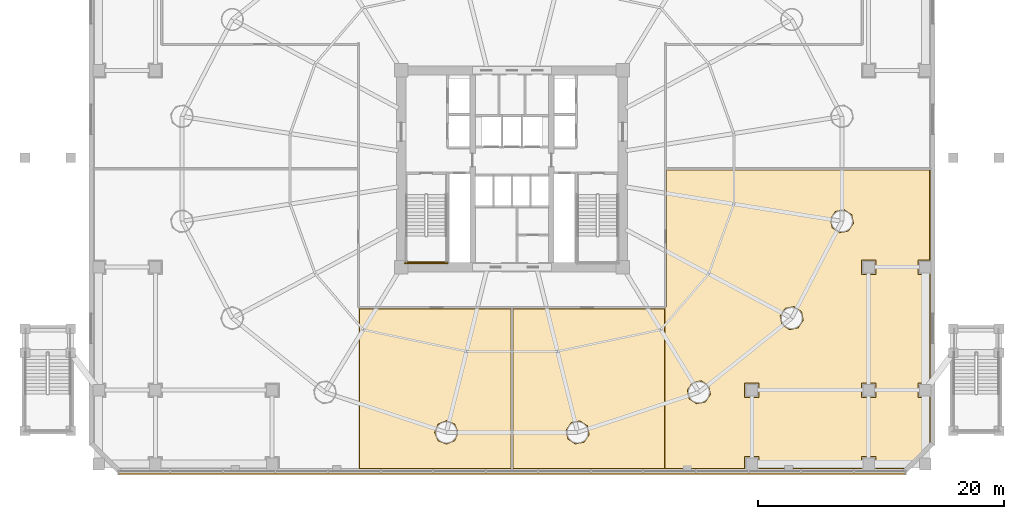
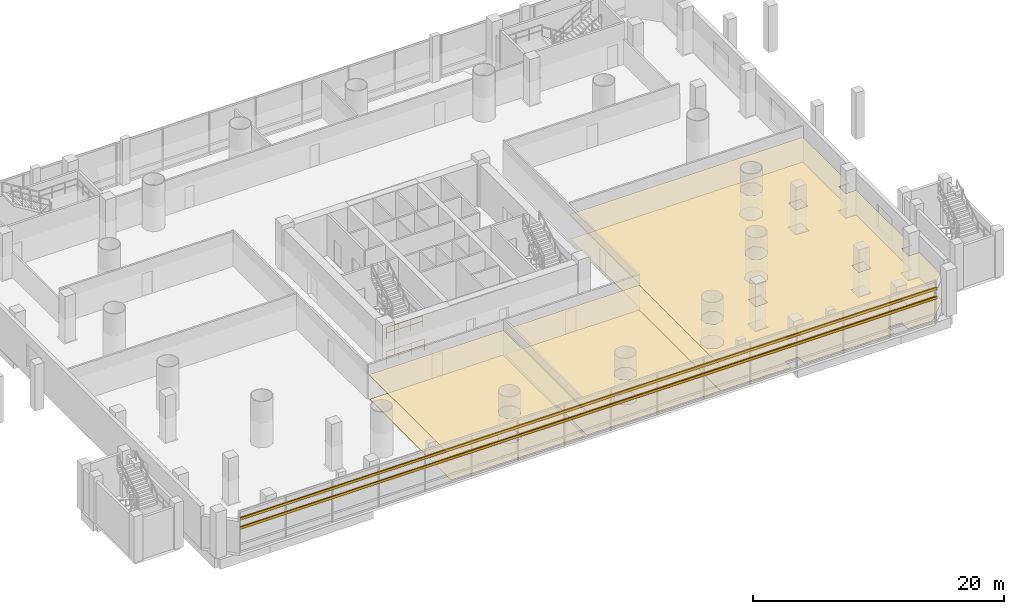
# One storey, part 28 of 36: 6 coverings, 2 railings, 2 shading devices.
"""IFC4 building model written with IfcOpenShell, lengths in metres."""

import ifcopenshell
import ifcopenshell.guid

model = None  # the IFC model being written
_history = None  # IfcOwnerHistory: only IFC2X3 demands one
_inside = {}  # id of a spatial element -> (the spatial element, [elements in it])
_under = {}  # id of a project, library or spatial element -> (it, [spatial elements below it])
_declared = {}  # id of a project -> (the project, [libraries it declares])
_typed = {}  # id of a type object -> (the type object, [elements of that type])
_made_of = {}  # id of a material, layer set ... -> (it, [elements and type objects made of it])


def new_model(schema):
    """Start an empty IFC model of exactly this schema.

    Asked for "IFC4X3", IfcOpenShell would pick the latest addendum, in which some entities
    have other attributes; the version numbers below select the first issue.
    IFC2X3 requires an IfcOwnerHistory on every rooted entity: one is made here for all.
    """
    global model, _history
    if schema == "IFC4X3":
        model = ifcopenshell.file(schema_version=(4, 3, 0, 0))
    else:
        model = ifcopenshell.file(schema=schema)
    _inside.clear()
    _under.clear()
    _declared.clear()
    _typed.clear()
    _made_of.clear()
    _history = None
    if model.schema == "IFC2X3":
        org = make("IfcOrganization", Name="unknown")
        user = make(
            "IfcPersonAndOrganization",
            ThePerson=make("IfcPerson", FamilyName="unknown"),
            TheOrganization=org,
        )
        app = make(
            "IfcApplication",
            ApplicationDeveloper=org,
            Version="unknown",
            ApplicationFullName="unknown",
            ApplicationIdentifier="unknown",
        )
        _history = make(
            "IfcOwnerHistory",
            OwningUser=user,
            OwningApplication=app,
            ChangeAction="ADDED",
            CreationDate=0,
        )
    return model


def make(cls, **values):
    """One entity of the class cls with the attributes given. An attribute that is None is left unset."""
    return model.create_entity(
        cls, **{name: value for name, value in values.items() if value is not None}
    )


def rooted(cls, **values):
    """An entity with a GlobalId (a new one), such as an element, a storey or a relation."""
    return make(cls, GlobalId=ifcopenshell.guid.new(), OwnerHistory=_history, **values)


def si_unit(unit_type, name, prefix=None):
    """IfcSIUnit, for example si_unit("LENGTHUNIT", "METRE", prefix="MILLI")."""
    return make("IfcSIUnit", UnitType=unit_type, Prefix=prefix, Name=name)


def assignment(units):
    """IfcUnitAssignment: the units of a project."""
    return None if units is None else make("IfcUnitAssignment", Units=units)


def point(xyz):
    """IfcCartesianPoint."""
    return None if xyz is None else make("IfcCartesianPoint", Coordinates=xyz)


def direction(xyz):
    """IfcDirection."""
    return None if xyz is None else make("IfcDirection", DirectionRatios=xyz)


def frame(location, z_axis=None, x_axis=None):
    """IfcAxis2Placement3D, a coordinate frame: its origin and axes. An axis left out is left unset."""
    return make(
        "IfcAxis2Placement3D",
        Location=point(location),
        Axis=direction(z_axis),
        RefDirection=direction(x_axis),
    )


def frame_2d(location, x_axis=None):
    """IfcAxis2Placement2D, a coordinate frame in the plane: its origin and x axis."""
    return make(
        "IfcAxis2Placement2D", Location=point(location), RefDirection=direction(x_axis)
    )


def origin():
    """The frame at (0, 0, 0) with its axes left unset."""
    return frame((0.0, 0.0, 0.0))


def origin_2d():
    """The frame at (0, 0) in the plane with its x axis left unset."""
    return frame_2d((0.0, 0.0))


def place(relative_to, where):
    """IfcLocalPlacement: puts the frame where relative to a parent placement (None: the world)."""
    return make(
        "IfcLocalPlacement", PlacementRelTo=relative_to, RelativePlacement=where
    )


def context(
    kind, dimensions, precision=None, world=None, true_north=None, identifier=None
):
    """IfcGeometricRepresentationContext, for example the 3D "Model" context."""
    return make(
        "IfcGeometricRepresentationContext",
        ContextIdentifier=identifier,
        ContextType=kind,
        CoordinateSpaceDimension=dimensions,
        Precision=precision,
        WorldCoordinateSystem=world,
        TrueNorth=true_north,
    )


def subcontext(parent, identifier, kind, view, scale=None):
    """IfcGeometricRepresentationSubContext, for example "Body" below "Model"."""
    return make(
        "IfcGeometricRepresentationSubContext",
        ContextIdentifier=identifier,
        ContextType=kind,
        ParentContext=parent,
        TargetScale=scale,
        TargetView=view,
    )


def project(units=None, contexts=None):
    """IfcProject with its units and contexts."""
    return rooted(
        "IfcProject",
        Name="project",
        RepresentationContexts=contexts,
        UnitsInContext=assignment(units),
    )


def spatial(cls, under=None, at=None, **own):
    """A site, building, storey or space (cls), placed at a placement, below another one or the project."""
    s = rooted(cls, ObjectPlacement=at, **own)
    if under is not None:
        _under.setdefault(under.id(), (under, []))[1].append(s)
    return s


def polyline(points):
    """IfcPolyline through the points."""
    return make("IfcPolyline", Points=[point(p) for p in points])


def profile(cls, at=None, kind="AREA", **sizes):
    """A parametric profile (cls). Its sizes go by their IFC names, for example OverallWidth=200.0."""
    return make(cls, ProfileType=kind, Position=at, **sizes)


def rectangle(**sizes):
    """IfcRectangleProfileDef."""
    return profile("IfcRectangleProfileDef", **sizes)


def hollow_rectangle(**sizes):
    """IfcRectangleHollowProfileDef."""
    return profile("IfcRectangleHollowProfileDef", **sizes)


def outline(outer, holes=None, kind="AREA"):
    """IfcArbitraryClosedProfileDef: a profile drawn as a closed curve; with holes, ...WithVoids."""
    if holes is None:
        return make("IfcArbitraryClosedProfileDef", ProfileType=kind, OuterCurve=outer)
    return make(
        "IfcArbitraryProfileDefWithVoids",
        ProfileType=kind,
        OuterCurve=outer,
        InnerCurves=holes,
    )


def extrude(swept, where, along, depth):
    """IfcExtrudedAreaSolid: the profile swept, set in the frame where, extruded along a direction by depth."""
    return make(
        "IfcExtrudedAreaSolid",
        SweptArea=swept,
        Position=where,
        ExtrudedDirection=direction(along),
        Depth=depth,
    )


def shape(context_of_items, identifier, shape_type, items):
    """IfcShapeRepresentation: the items that make up one representation, for example the "Body"."""
    return make(
        "IfcShapeRepresentation",
        ContextOfItems=context_of_items,
        RepresentationIdentifier=identifier,
        RepresentationType=shape_type,
        Items=items,
    )


def source(mapping_origin, context_of_items, identifier, shape_type, items):
    """IfcRepresentationMap: a shape defined once, which mapped items show again and again."""
    return make(
        "IfcRepresentationMap",
        MappingOrigin=mapping_origin,
        MappedRepresentation=shape(context_of_items, identifier, shape_type, items),
    )


def transform(
    local_origin,
    x_axis=None,
    y_axis=None,
    z_axis=None,
    scale=None,
    scale2=None,
    scale3=None,
    uniform=True,
):
    """IfcCartesianTransformationOperator3D, or its non-uniform kind. x_axis, y_axis, z_axis: its Axis1, 2, 3."""
    if uniform:
        return make(
            "IfcCartesianTransformationOperator3D",
            Axis1=direction(x_axis),
            Axis2=direction(y_axis),
            LocalOrigin=point(local_origin),
            Scale=scale,
            Axis3=direction(z_axis),
        )
    return make(
        "IfcCartesianTransformationOperator3DnonUniform",
        Axis1=direction(x_axis),
        Axis2=direction(y_axis),
        LocalOrigin=point(local_origin),
        Scale=scale,
        Axis3=direction(z_axis),
        Scale2=scale2,
        Scale3=scale3,
    )


def mapped(mapping_source, mapping_target):
    """IfcMappedItem: shows the shape of a source again, moved by a transform."""
    return make(
        "IfcMappedItem", MappingSource=mapping_source, MappingTarget=mapping_target
    )


def material(Name=None, Category=None):
    """IfcMaterial."""
    return make("IfcMaterial", Name=Name, Category=Category)


def layer(
    of_material, thickness, ventilated=None, Name=None, Category=None, Priority=None
):
    """IfcMaterialLayer: one layer of a wall or slab, of a material (None: an air gap)."""
    return make(
        "IfcMaterialLayer",
        Material=of_material,
        LayerThickness=thickness,
        IsVentilated=ventilated,
        Name=Name,
        Category=Category,
        Priority=Priority,
    )


def layer_set(layers, Name=None):
    """IfcMaterialLayerSet."""
    return make("IfcMaterialLayerSet", MaterialLayers=layers, LayerSetName=Name)


def material_profile(
    of_material, cross_section, Name=None, Category=None, Priority=None
):
    """IfcMaterialProfile: a cross section and its material."""
    return make(
        "IfcMaterialProfile",
        Name=Name,
        Material=of_material,
        Profile=cross_section,
        Priority=Priority,
        Category=Category,
    )


def profile_set(profiles, Name=None, composite=None):
    """IfcMaterialProfileSet."""
    return make(
        "IfcMaterialProfileSet",
        Name=Name,
        MaterialProfiles=profiles,
        CompositeProfile=composite,
    )


def made_of(thing, what):
    """Note that an element or type object is made of a material, layer set ...; save() writes the relation."""
    if what is not None:
        _made_of.setdefault(what.id(), (what, []))[1].append(thing)
    return thing


def type_object(cls, material=None, **own):
    """A type object (cls), such as IfcWallType, which elements share."""
    return made_of(rooted(cls, **own), material)


def element(
    cls,
    number,
    at=None,
    inside=None,
    cuts=None,
    type_object=None,
    material=None,
    context=None,
    identifier="Body",
    shape_type=None,
    held_by="IfcProductDefinitionShape",
    body=None,
    shapes=None,
    **own,
):
    """One element of the class cls, such as IfcWall. Its Tag is "e" and its number.

    at: its placement. inside: the storey or other place that contains it. cuts: it is an
    opening in that element (IfcRelVoidsElement). A single representation is given by context,
    identifier, shape_type and body (its items); several are given by shapes. held_by: the class
    of the entity that holds the representations. save() writes the other relations.
    """
    e = rooted(cls, Tag="e%d" % number, ObjectPlacement=at, **own)
    if body is not None:
        shapes = [shape(context, identifier, shape_type, body)]
    if shapes is not None:
        e.Representation = make(held_by, Representations=shapes)
    if inside is not None:
        _inside.setdefault(inside.id(), (inside, []))[1].append(e)
    if cuts is not None:
        rooted(
            "IfcRelVoidsElement", RelatingBuildingElement=cuts, RelatedOpeningElement=e
        )
    if type_object is not None:
        _typed.setdefault(type_object.id(), (type_object, []))[1].append(e)
    return made_of(e, material)


def aggregate(whole, parts):
    """IfcRelAggregates: a whole, such as a stair, and the parts it consists of."""
    return rooted("IfcRelAggregates", RelatingObject=whole, RelatedObjects=parts)


def save(model, path):
    """Write the relations noted so far, then the file.

    IfcRelAggregates (storeys below a building ...), IfcRelContainedInSpatialStructure (elements
    in a storey), IfcRelDefinesByType, IfcRelAssociatesMaterial and IfcRelDeclares: one each for
    every whole, place, type object, material and project.
    """
    for whole, parts in _under.values():
        aggregate(whole, parts)
    for where, things in _inside.values():
        rooted(
            "IfcRelContainedInSpatialStructure",
            RelatedElements=things,
            RelatingStructure=where,
        )
    for kind, things in _typed.values():
        rooted("IfcRelDefinesByType", RelatedObjects=things, RelatingType=kind)
    for what, things in _made_of.values():
        rooted("IfcRelAssociatesMaterial", RelatedObjects=things, RelatingMaterial=what)
    for by, libraries in _declared.values():
        rooted("IfcRelDeclares", RelatingContext=by, RelatedDefinitions=libraries)
    model.write(path)


model = new_model("IFC4")

# Units and contexts
model_context = context("Model", 3, precision=1e-05, world=origin(), true_north=direction((-0.2419218956, 0.970295726276)))
body_context = subcontext(model_context, "Body", "Model", "MODEL_VIEW")
ifc_project = project(units=[si_unit("LENGTHUNIT", "METRE"), si_unit("AREAUNIT", "SQUARE_METRE"), si_unit("VOLUMEUNIT", "CUBIC_METRE"), si_unit("PLANEANGLEUNIT", "RADIAN"), si_unit("MASSUNIT", "GRAM", prefix="KILO")], contexts=[model_context])

# Site, building, storey
site_placement = place(None, origin())
site = spatial("IfcSite", under=ifc_project, at=site_placement, CompositionType="ELEMENT")
building_placement = place(site_placement, origin())
building = spatial("IfcBuilding", under=site, at=building_placement, Name="Cobrevalo Terracotta Tower", CompositionType="ELEMENT")
storey_placement = place(building_placement, frame((0.0, 0.0, 14.39990234375)))
storey = spatial("IfcBuildingStorey", under=building, at=storey_placement, Name="L03", CompositionType="ELEMENT", Elevation=14.39990234375)

# Coverings
ifc_material_1 = material(Name="Honed terracotta and granite tile", Category="masonry")
ifc_layer_1 = layer(ifc_material_1, 0.034912109375)
ifc_layer_set_1 = layer_set([ifc_layer_1], Name="Honed terracotta and granite tile")
covering_type_1 = type_object("IfcCoveringType", Name="Honed Terracotta & Granite Interior Flooring 35", PredefinedType="FLOORING", material=ifc_layer_set_1)
covering_1_placement = place(storey_placement, origin())
element("IfcCovering", 1, at=covering_1_placement, inside=storey, type_object=covering_type_1, Name="L03 Movement Pilates Studio floor finish", PredefinedType="FLOORING", context=body_context, shape_type="SweptSolid", body=[
    extrude(outline(polyline([(69.921630859375, 2.43994140625), (67.60009765625, 2.43994140625), (67.60009765625, 3.39990234375), (66.39990234375, 3.39990234375), (66.39990234375, 2.43994140625), (58.10009765625, 2.43994140625), (58.10009765625, 3.39990234375), (56.89990234375, 3.39990234375), (56.89990234375, 2.43994140625), (50.419921875, 2.43994140625), (50.419921875, 15.423583984375), (50.580078125, 15.59814453125), (50.580078125, 26.699951171875), (71.9599609375, 26.699951171875), (71.9599609375, 19.39990234375), (71.0, 19.39990234375), (71.0, 18.199951171875), (71.9599609375, 18.199951171875), (71.9599609375, 9.39990234375), (71.0, 9.39990234375), (71.0, 8.199951171875), (71.9599609375, 8.199951171875), (71.9599609375, 4.478271484375), (69.921630859375, 2.43994140625)]), holes=[polyline([(66.39990234375, 9.39990234375), (66.39990234375, 8.199951171875), (67.60009765625, 8.199951171875), (67.60009765625, 9.39990234375), (66.39990234375, 9.39990234375)]), polyline([(66.39990234375, 19.39990234375), (66.39990234375, 18.199951171875), (67.60009765625, 18.199951171875), (67.60009765625, 19.39990234375), (66.39990234375, 19.39990234375)]), polyline([(65.35791015625, 21.739013671875), (65.76611328125, 22.349853515625), (65.622802734375, 23.07080078125), (65.01171875, 23.47900390625), (64.291015625, 23.33544921875), (63.8828125, 22.724609375), (64.026123046875, 22.00390625), (64.63720703125, 21.595703125), (65.35791015625, 21.739013671875)]), polyline([(61.274169921875, 13.862548828125), (61.682373046875, 14.473388671875), (61.5390625, 15.194091796875), (60.927978515625, 15.6025390625), (60.207275390625, 15.458984375), (59.799072265625, 14.84814453125), (59.9423828125, 14.12744140625), (60.553466796875, 13.71923828125), (61.274169921875, 13.862548828125)]), polyline([(56.89990234375, 9.39990234375), (56.89990234375, 8.199951171875), (58.10009765625, 8.199951171875), (58.10009765625, 9.39990234375), (56.89990234375, 9.39990234375)]), polyline([(53.728271484375, 7.833984375), (54.136474609375, 8.445068359375), (53.9931640625, 9.165771484375), (53.382080078125, 9.573974609375), (52.661376953125, 9.4306640625), (52.253173828125, 8.819580078125), (52.396484375, 8.098876953125), (53.007568359375, 7.690673828125), (53.728271484375, 7.833984375)])]), origin(), (0.0, 0.0, 1.0), 0.030029296875),
])
covering_2_placement = place(storey_placement, origin())
element("IfcCovering", 2, at=covering_2_placement, inside=storey, type_object=covering_type_1, Name="L03 Physiotherapy Recovery Suite floor finish", PredefinedType="FLOORING", context=body_context, shape_type="SweptSolid", body=[
    extrude(outline(polyline([(25.6201171875, 15.419921875), (37.89990234375, 15.419921875), (37.89990234375, 2.43994140625), (25.6201171875, 2.43994140625), (25.6201171875, 15.419921875)]), holes=[polyline([(33.34326171875, 4.69091796875), (33.624267578125, 5.369873046875), (33.34326171875, 6.048828125), (32.664306640625, 6.329833984375), (31.9853515625, 6.048828125), (31.7041015625, 5.369873046875), (31.9853515625, 4.69091796875), (32.664306640625, 4.40966796875), (33.34326171875, 4.69091796875)])]), origin(), (0.0, 0.0, 1.0), 0.030029296875),
])
covering_3_placement = place(storey_placement, origin())
element("IfcCovering", 3, at=covering_3_placement, inside=storey, type_object=covering_type_1, Name="L03 Spa Changing Suite floor finish", PredefinedType="FLOORING", context=body_context, shape_type="SweptSolid", body=[
    extrude(outline(polyline([(38.10009765625, 15.419921875), (50.3798828125, 15.419921875), (50.3798828125, 2.43994140625), (38.10009765625, 2.43994140625), (38.10009765625, 15.419921875)]), holes=[polyline([(43.869140625, 4.571533203125), (44.27734375, 5.1826171875), (44.134033203125, 5.9033203125), (43.52294921875, 6.3115234375), (42.80224609375, 6.168212890625), (42.39404296875, 5.55712890625), (42.537353515625, 4.83642578125), (43.1484375, 4.42822265625), (43.869140625, 4.571533203125)])]), origin(), (0.0, 0.0, 1.0), 0.030029296875),
])
ifc_material_2 = material(Name="Acoustic perforated gypsum ceiling", Category="gypsum")
ifc_layer_2 = layer(ifc_material_2, 0.050048828125)
ifc_layer_set_2 = layer_set([ifc_layer_2], Name="Acoustic perforated gypsum ceiling")
covering_type_2 = type_object("IfcCoveringType", Name="Perforated Acoustic Gypsum Ceiling 50", PredefinedType="CEILING", material=ifc_layer_set_2)
covering_4_placement = place(storey_placement, frame((0.0, 0.0, 2.360107421875)))
element("IfcCovering", 4, at=covering_4_placement, inside=storey, type_object=covering_type_2, Name="L03 Movement Pilates Studio acoustic ceiling", PredefinedType="CEILING", context=body_context, shape_type="SweptSolid", body=[
    extrude(outline(polyline([(69.9404296875, 2.39501953125), (67.554931640625, 2.39501953125), (67.554931640625, 3.35498046875), (66.445068359375, 3.35498046875), (66.445068359375, 2.39501953125), (58.054931640625, 2.39501953125), (58.054931640625, 3.35498046875), (56.945068359375, 3.35498046875), (56.945068359375, 2.39501953125), (50.375, 2.39501953125), (50.375, 15.46044921875), (50.534912109375, 15.6025390625), (50.534912109375, 26.7451171875), (72.0048828125, 26.7451171875), (72.0048828125, 19.35498046875), (71.044921875, 19.35498046875), (71.044921875, 18.2451171875), (72.0048828125, 18.2451171875), (72.0048828125, 9.35498046875), (71.044921875, 9.35498046875), (71.044921875, 8.2451171875), (72.0048828125, 8.2451171875), (72.0048828125, 4.459716796875), (69.9404296875, 2.39501953125)]), holes=[polyline([(66.445068359375, 9.35498046875), (66.445068359375, 8.2451171875), (67.554931640625, 8.2451171875), (67.554931640625, 9.35498046875), (66.445068359375, 9.35498046875)]), polyline([(66.445068359375, 19.35498046875), (66.445068359375, 18.2451171875), (67.554931640625, 18.2451171875), (67.554931640625, 19.35498046875), (66.445068359375, 19.35498046875)]), polyline([(65.332763671875, 21.776611328125), (65.7216796875, 22.35888671875), (65.585205078125, 23.045654296875), (65.0029296875, 23.4345703125), (64.316162109375, 23.2978515625), (63.92724609375, 22.7158203125), (64.063720703125, 22.029052734375), (64.64599609375, 21.639892578125), (65.332763671875, 21.776611328125)]), polyline([(61.2490234375, 13.900146484375), (61.637939453125, 14.482421875), (61.50146484375, 15.169189453125), (60.919189453125, 15.55810546875), (60.232421875, 15.42138671875), (59.843505859375, 14.83935546875), (59.97998046875, 14.152587890625), (60.562255859375, 13.763427734375), (61.2490234375, 13.900146484375)]), polyline([(56.945068359375, 9.35498046875), (56.945068359375, 8.2451171875), (58.054931640625, 8.2451171875), (58.054931640625, 9.35498046875), (56.945068359375, 9.35498046875)]), polyline([(53.703125, 7.87158203125), (54.092041015625, 8.453857421875), (53.95556640625, 9.140625), (53.373291015625, 9.52978515625), (52.6865234375, 9.39306640625), (52.297607421875, 8.810791015625), (52.43408203125, 8.1240234375), (53.016357421875, 7.735107421875), (53.703125, 7.87158203125)])]), origin(), (0.0, 0.0, 1.0), 0.050048828125),
])
covering_5_placement = place(storey_placement, frame((0.0, 0.0, 2.360107421875)))
element("IfcCovering", 5, at=covering_5_placement, inside=storey, type_object=covering_type_2, Name="L03 Physiotherapy Recovery Suite acoustic ceiling", PredefinedType="CEILING", context=body_context, shape_type="SweptSolid", body=[
    extrude(outline(polyline([(25.574951171875, 15.465087890625), (37.945068359375, 15.465087890625), (37.945068359375, 2.39501953125), (25.574951171875, 2.39501953125), (25.574951171875, 15.465087890625)]), holes=[polyline([(33.311279296875, 4.722900390625), (33.5791015625, 5.369873046875), (33.311279296875, 6.016845703125), (32.664306640625, 6.28466796875), (32.017333984375, 6.016845703125), (31.74951171875, 5.369873046875), (32.017333984375, 4.722900390625), (32.664306640625, 4.455078125), (33.311279296875, 4.722900390625)])]), origin(), (0.0, 0.0, 1.0), 0.050048828125),
])
covering_6_placement = place(storey_placement, frame((0.0, 0.0, 2.360107421875)))
element("IfcCovering", 6, at=covering_6_placement, inside=storey, type_object=covering_type_2, Name="L03 Spa Changing Suite acoustic ceiling", PredefinedType="CEILING", context=body_context, shape_type="SweptSolid", body=[
    extrude(outline(polyline([(38.054931640625, 15.465087890625), (50.425048828125, 15.465087890625), (50.425048828125, 2.39501953125), (38.054931640625, 2.39501953125), (38.054931640625, 15.465087890625)]), holes=[polyline([(43.843994140625, 4.609130859375), (44.23291015625, 5.19140625), (44.096435546875, 5.878173828125), (43.51416015625, 6.26708984375), (42.827392578125, 6.130615234375), (42.4384765625, 5.54833984375), (42.574951171875, 4.861572265625), (43.1572265625, 4.47265625), (43.843994140625, 4.609130859375)])]), origin(), (0.0, 0.0, 1.0), 0.050048828125),
])

# Railings
ifc_material_3 = material(Name="Painted galvanized steel", Category="steel")
railing_type = type_object("IfcRailingType", Name="Stair Well Guard Balustrade 1150", PredefinedType="GUARDRAIL", material=ifc_material_3)
railing_1_placement = place(storey_placement, frame((29.375, 19.22509765625, 2.25)))
element("IfcRailing", 7, at=railing_1_placement, inside=storey, type_object=railing_type, Name="L03 ST-1 stair guard 5", PredefinedType="GUARDRAIL", context=body_context, shape_type="SweptSolid", body=[
    extrude(rectangle(XDim=0.048095703125, YDim=0.048095703125, at=origin_2d()), frame((0.0, 0.0, 1.1259765625), z_axis=(1.0, 0.0, 0.0), x_axis=(0.0, 1.0, 0.0)), (0.0, 0.0, 1.0), 3.320068359375),
    extrude(rectangle(XDim=0.048095703125, YDim=0.048095703125, at=origin_2d()), frame((0.0, 0.0, 0.574951171875), z_axis=(1.0, 0.0, 0.0), x_axis=(0.0, 1.0, 0.0)), (0.0, 0.0, 1.0), 3.320068359375),
    extrude(rectangle(XDim=0.0419921875, YDim=0.0419921875, at=origin_2d()), origin(), (0.0, 0.0, 1.0), 1.101806640625),
    extrude(rectangle(XDim=0.0419921875, YDim=0.0419921875, at=origin_2d()), frame((1.106689453125, 0.0, 0.0)), (0.0, 0.0, 1.0), 1.101806640625),
    extrude(rectangle(XDim=0.0419921875, YDim=0.0419921875, at=origin_2d()), frame((2.21337890625, 0.0, 0.0)), (0.0, 0.0, 1.0), 1.101806640625),
    extrude(rectangle(XDim=0.0419921875, YDim=0.0419921875, at=origin_2d()), frame((3.320068359375, 0.0, 0.0)), (0.0, 0.0, 1.0), 1.101806640625),
])
railing_2_placement = place(storey_placement, frame((29.27490234375, 19.125, 0.0)))
element("IfcRailing", 8, at=railing_2_placement, inside=storey, type_object=railing_type, Name="L03 ST-1 stair guard 12", PredefinedType="GUARDRAIL", context=body_context, shape_type="SweptSolid", body=[
    extrude(rectangle(XDim=0.048095703125, YDim=0.048095703125, at=origin_2d()), frame((0.0, 0.0, 1.1259765625), z_axis=(1.0, 0.0, 0.0), x_axis=(0.0, 1.0, 0.0)), (0.0, 0.0, 1.0), 3.52001953125),
    extrude(rectangle(XDim=0.048095703125, YDim=0.048095703125, at=origin_2d()), frame((0.0, 0.0, 0.574951171875), z_axis=(1.0, 0.0, 0.0), x_axis=(0.0, 1.0, 0.0)), (0.0, 0.0, 1.0), 3.52001953125),
    extrude(rectangle(XDim=0.0419921875, YDim=0.0419921875, at=origin_2d()), origin(), (0.0, 0.0, 1.0), 1.101806640625),
    extrude(rectangle(XDim=0.0419921875, YDim=0.0419921875, at=origin_2d()), frame((1.17333984375, 0.0, 0.0)), (0.0, 0.0, 1.0), 1.101806640625),
    extrude(rectangle(XDim=0.0419921875, YDim=0.0419921875, at=origin_2d()), frame((2.3466796875, 0.0, 0.0)), (0.0, 0.0, 1.0), 1.101806640625),
    extrude(rectangle(XDim=0.0419921875, YDim=0.0419921875, at=origin_2d()), frame((3.52001953125, 0.0, 0.0)), (0.0, 0.0, 1.0), 1.101806640625),
])

# Shading devices
ifc_material_4 = material(Name="Extruded fired architectural terracotta", Category="masonry")
ifc_material_profile = material_profile(ifc_material_4, hollow_rectangle(XDim=0.110107421875, YDim=0.239990234375, WallThickness=0.01806640625, at=origin_2d()), Name="BAGUETTE 110x240")
ifc_profile_set = profile_set([ifc_material_profile], Name="Extruded fired architectural terracotta")
shading_device_type = type_object("IfcShadingDeviceType", Name="Horizontal Terracotta Baguette Screen 110x240", PredefinedType="USERDEFINED", material=ifc_profile_set)
shared_shape = source(origin(), body_context, "Body", "SweptSolid", [
    extrude(hollow_rectangle(XDim=0.110107421875, YDim=0.239990234375, WallThickness=0.01806640625, at=origin_2d()), origin(), (0.0, 0.0, 1.0), 64.02001953125),
])
for number, where, z_axis, x_axis, name in (
    (9, (5.989990234375, 2.02001953125, 2.510986328125), (1.0, 0.0, 0.0), (0.0, 1.0, 0.0), "CW-POD-L03-S horizontal terracotta baguette 1"),
    (10, (5.989990234375, 2.02001953125, 3.402099609375), (1.0, 0.0, 0.0), (0.0, 1.0, 0.0), "CW-POD-L03-S horizontal terracotta baguette 2"),
):
    element("IfcShadingDevice", number, at=place(storey_placement, frame(where, z_axis=z_axis, x_axis=x_axis)), inside=storey, type_object=shading_device_type, Name=name, ObjectType="BAGUETTE", PredefinedType="USERDEFINED", context=body_context, shape_type="MappedRepresentation", body=[
        mapped(shared_shape, transform((0.0, 0.0, 0.0), scale=1.0)),
    ])

save(model, "model.ifc")
